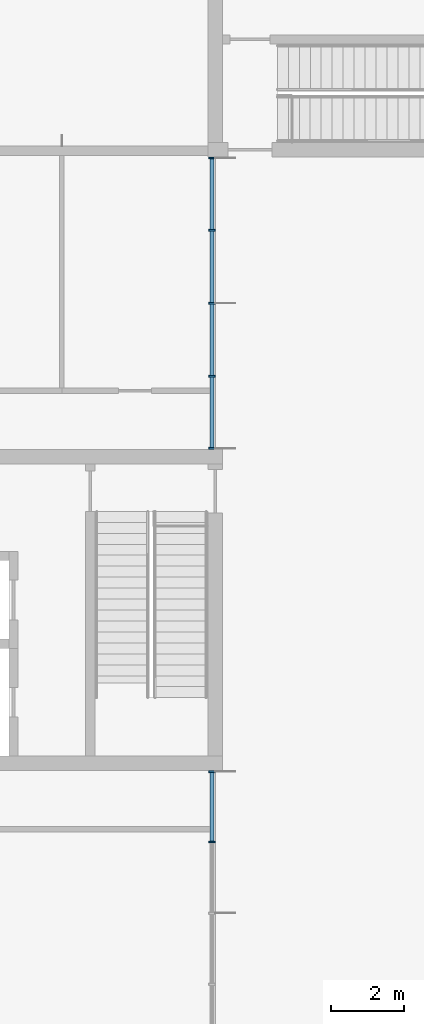
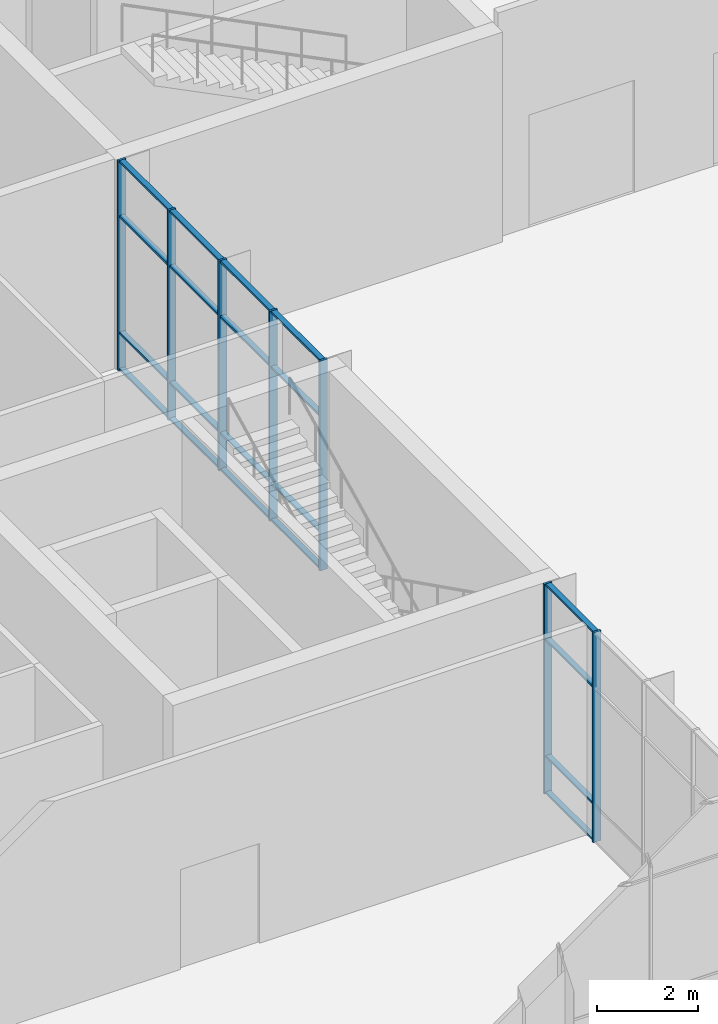
# One storey, part 17 of 76: 27 members, 2 elements without a shape of their own.
"""IFC4 building model written with IfcOpenShell, lengths in metres."""

from ifc_helpers import new_model, si_unit, direction, frame, origin, origin_2d, place, context, subcontext, project, spatial, rectangle, extrude, material, material_profile, profile_set, type_object, element, aggregate, save


model = new_model("IFC4")

# Units and contexts
model_context = context("Model", 3, precision=1e-05, world=origin(), true_north=direction((0.0, 1.0)))
body_context = subcontext(model_context, "Body", "Model", "MODEL_VIEW")
ifc_project = project(units=[si_unit("LENGTHUNIT", "METRE"), si_unit("AREAUNIT", "SQUARE_METRE"), si_unit("VOLUMEUNIT", "CUBIC_METRE"), si_unit("PLANEANGLEUNIT", "RADIAN"), si_unit("MASSUNIT", "GRAM", prefix="KILO")], contexts=[model_context])

# Site, building, storey
site_placement = place(None, origin())
site = spatial("IfcSite", under=ifc_project, at=site_placement, CompositionType="ELEMENT")
building_placement = place(site_placement, origin())
building = spatial("IfcBuilding", under=site, at=building_placement, Name="Hlaing Beacon Police Headquarters", CompositionType="ELEMENT")
storey_placement = place(building_placement, origin())
storey = spatial("IfcBuildingStorey", under=building, at=storey_placement, Name="L00", CompositionType="ELEMENT", Elevation=0.0)

# Curtain wall, members
ifc_material_1 = material(Name="Aluminium frame with solar control glazing", Category="aluminium")
curtain_wall_type_1 = type_object("IfcCurtainWallType", Name="Shopfront glazing 7.80 x 5.05", PredefinedType="NOTDEFINED", material=ifc_material_1)
curtain_wall_1_placement = place(storey_placement, origin())
curtain_wall_1 = element("IfcCurtainWall", 1, at=curtain_wall_1_placement, inside=storey, type_object=curtain_wall_type_1, Name="ENV-CW-L00-E001", PredefinedType="NOTDEFINED")
ifc_material_2 = material(Name="Aluminium", Category="aluminium")
ifc_material_profile_1 = material_profile(ifc_material_2, rectangle(XDim=0.179931640625, YDim=0.050048828125, at=origin_2d()), Name="Mullion 50x180")
ifc_profile_set_1 = profile_set([ifc_material_profile_1], Name="Aluminium")
member_type_1 = type_object("IfcMemberType", Name="Mullion 50x180", PredefinedType="MULLION", material=ifc_profile_set_1)
member_1_placement = place(storey_placement, frame((58.7099609375, 14.64990234375, 0.0), z_axis=(0.0, 0.0, 1.0), x_axis=(-1.0, 0.0, 0.0)))
member_1 = element("IfcMember", 2, at=member_1_placement, type_object=member_type_1, Name="CW-L00-E001 mullion 4", PredefinedType="MULLION", context=body_context, shape_type="SweptSolid", body=[
    extrude(rectangle(XDim=0.179931640625, YDim=0.050048828125, at=origin_2d()), origin(), (0.0, 0.0, 1.0), 5.050048828125),
])
member_2_placement = place(storey_placement, frame((58.7099609375, 16.574951171875, 0.0), z_axis=(0.0, 0.0, 1.0), x_axis=(-1.0, 0.0, 0.0)))
member_2 = element("IfcMember", 3, at=member_2_placement, type_object=member_type_1, Name="CW-L00-E001 mullion 5", PredefinedType="MULLION", context=body_context, shape_type="SweptSolid", body=[
    extrude(rectangle(XDim=0.179931640625, YDim=0.050048828125, at=origin_2d()), origin(), (0.0, 0.0, 1.0), 5.050048828125),
])

ifc_material_3 = material(Name="Aluminium frame with solar control glazing", Category="aluminium")
curtain_wall_type_2 = type_object("IfcCurtainWallType", Name="Shopfront glazing 8.00 x 5.05", PredefinedType="NOTDEFINED", material=ifc_material_3)
curtain_wall_2_placement = place(storey_placement, origin())
curtain_wall_2 = element("IfcCurtainWall", 4, at=curtain_wall_2_placement, inside=storey, type_object=curtain_wall_type_2, Name="ENV-CW-L00-E002", PredefinedType="NOTDEFINED")
member_3_placement = place(storey_placement, frame((58.7099609375, 25.425048828125, 0.0), z_axis=(0.0, 0.0, 1.0), x_axis=(-1.0, 0.0, 0.0)))
member_3 = element("IfcMember", 5, at=member_3_placement, type_object=member_type_1, Name="CW-L00-E002 mullion 1", PredefinedType="MULLION", context=body_context, shape_type="SweptSolid", body=[
    extrude(rectangle(XDim=0.179931640625, YDim=0.050048828125, at=origin_2d()), origin(), (0.0, 0.0, 1.0), 5.050048828125),
])
member_4_placement = place(storey_placement, frame((58.7099609375, 27.39990234375, 0.0), z_axis=(0.0, 0.0, 1.0), x_axis=(-1.0, 0.0, 0.0)))
member_4 = element("IfcMember", 6, at=member_4_placement, type_object=member_type_1, Name="CW-L00-E002 mullion 2", PredefinedType="MULLION", context=body_context, shape_type="SweptSolid", body=[
    extrude(rectangle(XDim=0.179931640625, YDim=0.050048828125, at=origin_2d()), origin(), (0.0, 0.0, 1.0), 5.050048828125),
])
member_5_placement = place(storey_placement, frame((58.7099609375, 29.39990234375, 0.0), z_axis=(0.0, 0.0, 1.0), x_axis=(-1.0, 0.0, 0.0)))
member_5 = element("IfcMember", 7, at=member_5_placement, type_object=member_type_1, Name="CW-L00-E002 mullion 3", PredefinedType="MULLION", context=body_context, shape_type="SweptSolid", body=[
    extrude(rectangle(XDim=0.179931640625, YDim=0.050048828125, at=origin_2d()), origin(), (0.0, 0.0, 1.0), 5.050048828125),
])
member_6_placement = place(storey_placement, frame((58.7099609375, 31.39990234375, 0.0), z_axis=(0.0, 0.0, 1.0), x_axis=(-1.0, 0.0, 0.0)))
member_6 = element("IfcMember", 8, at=member_6_placement, type_object=member_type_1, Name="CW-L00-E002 mullion 4", PredefinedType="MULLION", context=body_context, shape_type="SweptSolid", body=[
    extrude(rectangle(XDim=0.179931640625, YDim=0.050048828125, at=origin_2d()), origin(), (0.0, 0.0, 1.0), 5.050048828125),
])
member_7_placement = place(storey_placement, frame((58.7099609375, 33.375, 0.0), z_axis=(0.0, 0.0, 1.0), x_axis=(-1.0, 0.0, 0.0)))
member_7 = element("IfcMember", 9, at=member_7_placement, type_object=member_type_1, Name="CW-L00-E002 mullion 5", PredefinedType="MULLION", context=body_context, shape_type="SweptSolid", body=[
    extrude(rectangle(XDim=0.179931640625, YDim=0.050048828125, at=origin_2d()), origin(), (0.0, 0.0, 1.0), 5.050048828125),
])

# Member
ifc_material_4 = material(Name="Aluminium", Category="aluminium")
ifc_material_profile_2 = material_profile(ifc_material_4, rectangle(XDim=0.1201171875, YDim=0.050048828125, at=origin_2d()), Name="Transom 120x50")
ifc_profile_set_2 = profile_set([ifc_material_profile_2], Name="Aluminium")
member_type_2 = type_object("IfcMemberType", Name="Transom 120x50", PredefinedType="USERDEFINED", material=ifc_profile_set_2)
member_8_placement = place(storey_placement, frame((58.7099609375, 14.675048828125, 0.02490234375), z_axis=(0.0, 1.0, 0.0), x_axis=(-1.0, 0.0, 0.0)))
member_8 = element("IfcMember", 10, at=member_8_placement, type_object=member_type_2, Name="CW-L00-E001 transom 4.1", ObjectType="TRANSOM", PredefinedType="USERDEFINED", context=body_context, shape_type="SweptSolid", body=[
    extrude(rectangle(XDim=0.1201171875, YDim=0.050048828125, at=origin_2d()), origin(), (0.0, 0.0, 1.0), 1.875),
])

member_9_placement = place(storey_placement, frame((58.7099609375, 14.675048828125, 0.89990234375), z_axis=(0.0, 1.0, 0.0), x_axis=(-1.0, 0.0, 0.0)))
member_9 = element("IfcMember", 11, at=member_9_placement, type_object=member_type_2, Name="CW-L00-E001 transom 4.2", ObjectType="TRANSOM", PredefinedType="USERDEFINED", context=body_context, shape_type="SweptSolid", body=[
    extrude(rectangle(XDim=0.1201171875, YDim=0.050048828125, at=origin_2d()), origin(), (0.0, 0.0, 1.0), 1.875),
])

member_10_placement = place(storey_placement, frame((58.7099609375, 14.675048828125, 3.699951171875), z_axis=(0.0, 1.0, 0.0), x_axis=(-1.0, 0.0, 0.0)))
member_10 = element("IfcMember", 12, at=member_10_placement, type_object=member_type_2, Name="CW-L00-E001 transom 4.3", ObjectType="TRANSOM", PredefinedType="USERDEFINED", context=body_context, shape_type="SweptSolid", body=[
    extrude(rectangle(XDim=0.1201171875, YDim=0.050048828125, at=origin_2d()), origin(), (0.0, 0.0, 1.0), 1.875),
])

member_11_placement = place(storey_placement, frame((58.7099609375, 14.675048828125, 5.02490234375), z_axis=(0.0, 1.0, 0.0), x_axis=(-1.0, 0.0, 0.0)))
member_11 = element("IfcMember", 13, at=member_11_placement, type_object=member_type_2, Name="CW-L00-E001 transom 4.4", ObjectType="TRANSOM", PredefinedType="USERDEFINED", context=body_context, shape_type="SweptSolid", body=[
    extrude(rectangle(XDim=0.1201171875, YDim=0.050048828125, at=origin_2d()), origin(), (0.0, 0.0, 1.0), 1.875),
])

aggregate(curtain_wall_1, [member_1, member_2, member_8, member_9, member_10, member_11])

member_12_placement = place(storey_placement, frame((58.7099609375, 25.449951171875, 0.02490234375), z_axis=(0.0, 1.0, 0.0), x_axis=(-1.0, 0.0, 0.0)))
member_12 = element("IfcMember", 14, at=member_12_placement, type_object=member_type_2, Name="CW-L00-E002 transom 1.1", ObjectType="TRANSOM", PredefinedType="USERDEFINED", context=body_context, shape_type="SweptSolid", body=[
    extrude(rectangle(XDim=0.1201171875, YDim=0.050048828125, at=origin_2d()), origin(), (0.0, 0.0, 1.0), 1.925048828125),
])

member_13_placement = place(storey_placement, frame((58.7099609375, 25.449951171875, 0.89990234375), z_axis=(0.0, 1.0, 0.0), x_axis=(-1.0, 0.0, 0.0)))
member_13 = element("IfcMember", 15, at=member_13_placement, type_object=member_type_2, Name="CW-L00-E002 transom 1.2", ObjectType="TRANSOM", PredefinedType="USERDEFINED", context=body_context, shape_type="SweptSolid", body=[
    extrude(rectangle(XDim=0.1201171875, YDim=0.050048828125, at=origin_2d()), origin(), (0.0, 0.0, 1.0), 1.925048828125),
])

member_14_placement = place(storey_placement, frame((58.7099609375, 25.449951171875, 3.699951171875), z_axis=(0.0, 1.0, 0.0), x_axis=(-1.0, 0.0, 0.0)))
member_14 = element("IfcMember", 16, at=member_14_placement, type_object=member_type_2, Name="CW-L00-E002 transom 1.3", ObjectType="TRANSOM", PredefinedType="USERDEFINED", context=body_context, shape_type="SweptSolid", body=[
    extrude(rectangle(XDim=0.1201171875, YDim=0.050048828125, at=origin_2d()), origin(), (0.0, 0.0, 1.0), 1.925048828125),
])

member_15_placement = place(storey_placement, frame((58.7099609375, 25.449951171875, 5.02490234375), z_axis=(0.0, 1.0, 0.0), x_axis=(-1.0, 0.0, 0.0)))
member_15 = element("IfcMember", 17, at=member_15_placement, type_object=member_type_2, Name="CW-L00-E002 transom 1.4", ObjectType="TRANSOM", PredefinedType="USERDEFINED", context=body_context, shape_type="SweptSolid", body=[
    extrude(rectangle(XDim=0.1201171875, YDim=0.050048828125, at=origin_2d()), origin(), (0.0, 0.0, 1.0), 1.925048828125),
])

member_16_placement = place(storey_placement, frame((58.7099609375, 27.425048828125, 0.02490234375), z_axis=(0.0, 1.0, 0.0), x_axis=(-1.0, 0.0, 0.0)))
member_16 = element("IfcMember", 18, at=member_16_placement, type_object=member_type_2, Name="CW-L00-E002 transom 2.1", ObjectType="TRANSOM", PredefinedType="USERDEFINED", context=body_context, shape_type="SweptSolid", body=[
    extrude(rectangle(XDim=0.1201171875, YDim=0.050048828125, at=origin_2d()), origin(), (0.0, 0.0, 1.0), 1.949951171875),
])

member_17_placement = place(storey_placement, frame((58.7099609375, 27.425048828125, 0.89990234375), z_axis=(0.0, 1.0, 0.0), x_axis=(-1.0, 0.0, 0.0)))
member_17 = element("IfcMember", 19, at=member_17_placement, type_object=member_type_2, Name="CW-L00-E002 transom 2.2", ObjectType="TRANSOM", PredefinedType="USERDEFINED", context=body_context, shape_type="SweptSolid", body=[
    extrude(rectangle(XDim=0.1201171875, YDim=0.050048828125, at=origin_2d()), origin(), (0.0, 0.0, 1.0), 1.949951171875),
])

member_18_placement = place(storey_placement, frame((58.7099609375, 27.425048828125, 3.699951171875), z_axis=(0.0, 1.0, 0.0), x_axis=(-1.0, 0.0, 0.0)))
member_18 = element("IfcMember", 20, at=member_18_placement, type_object=member_type_2, Name="CW-L00-E002 transom 2.3", ObjectType="TRANSOM", PredefinedType="USERDEFINED", context=body_context, shape_type="SweptSolid", body=[
    extrude(rectangle(XDim=0.1201171875, YDim=0.050048828125, at=origin_2d()), origin(), (0.0, 0.0, 1.0), 1.949951171875),
])

member_19_placement = place(storey_placement, frame((58.7099609375, 27.425048828125, 5.02490234375), z_axis=(0.0, 1.0, 0.0), x_axis=(-1.0, 0.0, 0.0)))
member_19 = element("IfcMember", 21, at=member_19_placement, type_object=member_type_2, Name="CW-L00-E002 transom 2.4", ObjectType="TRANSOM", PredefinedType="USERDEFINED", context=body_context, shape_type="SweptSolid", body=[
    extrude(rectangle(XDim=0.1201171875, YDim=0.050048828125, at=origin_2d()), origin(), (0.0, 0.0, 1.0), 1.949951171875),
])

member_20_placement = place(storey_placement, frame((58.7099609375, 29.425048828125, 0.02490234375), z_axis=(0.0, 1.0, 0.0), x_axis=(-1.0, 0.0, 0.0)))
member_20 = element("IfcMember", 22, at=member_20_placement, type_object=member_type_2, Name="CW-L00-E002 transom 3.1", ObjectType="TRANSOM", PredefinedType="USERDEFINED", context=body_context, shape_type="SweptSolid", body=[
    extrude(rectangle(XDim=0.1201171875, YDim=0.050048828125, at=origin_2d()), origin(), (0.0, 0.0, 1.0), 1.949951171875),
])

member_21_placement = place(storey_placement, frame((58.7099609375, 29.425048828125, 0.89990234375), z_axis=(0.0, 1.0, 0.0), x_axis=(-1.0, 0.0, 0.0)))
member_21 = element("IfcMember", 23, at=member_21_placement, type_object=member_type_2, Name="CW-L00-E002 transom 3.2", ObjectType="TRANSOM", PredefinedType="USERDEFINED", context=body_context, shape_type="SweptSolid", body=[
    extrude(rectangle(XDim=0.1201171875, YDim=0.050048828125, at=origin_2d()), origin(), (0.0, 0.0, 1.0), 1.949951171875),
])

member_22_placement = place(storey_placement, frame((58.7099609375, 29.425048828125, 3.699951171875), z_axis=(0.0, 1.0, 0.0), x_axis=(-1.0, 0.0, 0.0)))
member_22 = element("IfcMember", 24, at=member_22_placement, type_object=member_type_2, Name="CW-L00-E002 transom 3.3", ObjectType="TRANSOM", PredefinedType="USERDEFINED", context=body_context, shape_type="SweptSolid", body=[
    extrude(rectangle(XDim=0.1201171875, YDim=0.050048828125, at=origin_2d()), origin(), (0.0, 0.0, 1.0), 1.949951171875),
])

member_23_placement = place(storey_placement, frame((58.7099609375, 29.425048828125, 5.02490234375), z_axis=(0.0, 1.0, 0.0), x_axis=(-1.0, 0.0, 0.0)))
member_23 = element("IfcMember", 25, at=member_23_placement, type_object=member_type_2, Name="CW-L00-E002 transom 3.4", ObjectType="TRANSOM", PredefinedType="USERDEFINED", context=body_context, shape_type="SweptSolid", body=[
    extrude(rectangle(XDim=0.1201171875, YDim=0.050048828125, at=origin_2d()), origin(), (0.0, 0.0, 1.0), 1.949951171875),
])

member_24_placement = place(storey_placement, frame((58.7099609375, 31.425048828125, 0.02490234375), z_axis=(0.0, 1.0, 0.0), x_axis=(-1.0, 0.0, 0.0)))
member_24 = element("IfcMember", 26, at=member_24_placement, type_object=member_type_2, Name="CW-L00-E002 transom 4.1", ObjectType="TRANSOM", PredefinedType="USERDEFINED", context=body_context, shape_type="SweptSolid", body=[
    extrude(rectangle(XDim=0.1201171875, YDim=0.050048828125, at=origin_2d()), origin(), (0.0, 0.0, 1.0), 1.925048828125),
])

member_25_placement = place(storey_placement, frame((58.7099609375, 31.425048828125, 0.89990234375), z_axis=(0.0, 1.0, 0.0), x_axis=(-1.0, 0.0, 0.0)))
member_25 = element("IfcMember", 27, at=member_25_placement, type_object=member_type_2, Name="CW-L00-E002 transom 4.2", ObjectType="TRANSOM", PredefinedType="USERDEFINED", context=body_context, shape_type="SweptSolid", body=[
    extrude(rectangle(XDim=0.1201171875, YDim=0.050048828125, at=origin_2d()), origin(), (0.0, 0.0, 1.0), 1.925048828125),
])

member_26_placement = place(storey_placement, frame((58.7099609375, 31.425048828125, 3.699951171875), z_axis=(0.0, 1.0, 0.0), x_axis=(-1.0, 0.0, 0.0)))
member_26 = element("IfcMember", 28, at=member_26_placement, type_object=member_type_2, Name="CW-L00-E002 transom 4.3", ObjectType="TRANSOM", PredefinedType="USERDEFINED", context=body_context, shape_type="SweptSolid", body=[
    extrude(rectangle(XDim=0.1201171875, YDim=0.050048828125, at=origin_2d()), origin(), (0.0, 0.0, 1.0), 1.925048828125),
])

member_27_placement = place(storey_placement, frame((58.7099609375, 31.425048828125, 5.02490234375), z_axis=(0.0, 1.0, 0.0), x_axis=(-1.0, 0.0, 0.0)))
member_27 = element("IfcMember", 29, at=member_27_placement, type_object=member_type_2, Name="CW-L00-E002 transom 4.4", ObjectType="TRANSOM", PredefinedType="USERDEFINED", context=body_context, shape_type="SweptSolid", body=[
    extrude(rectangle(XDim=0.1201171875, YDim=0.050048828125, at=origin_2d()), origin(), (0.0, 0.0, 1.0), 1.925048828125),
])

aggregate(curtain_wall_2, [member_3, member_4, member_5, member_6, member_7, member_12, member_13, member_14, member_15, member_16, member_17, member_18, member_19, member_20, member_21, member_22, member_23, member_24, member_25, member_26, member_27])

save(model, "model.ifc")
